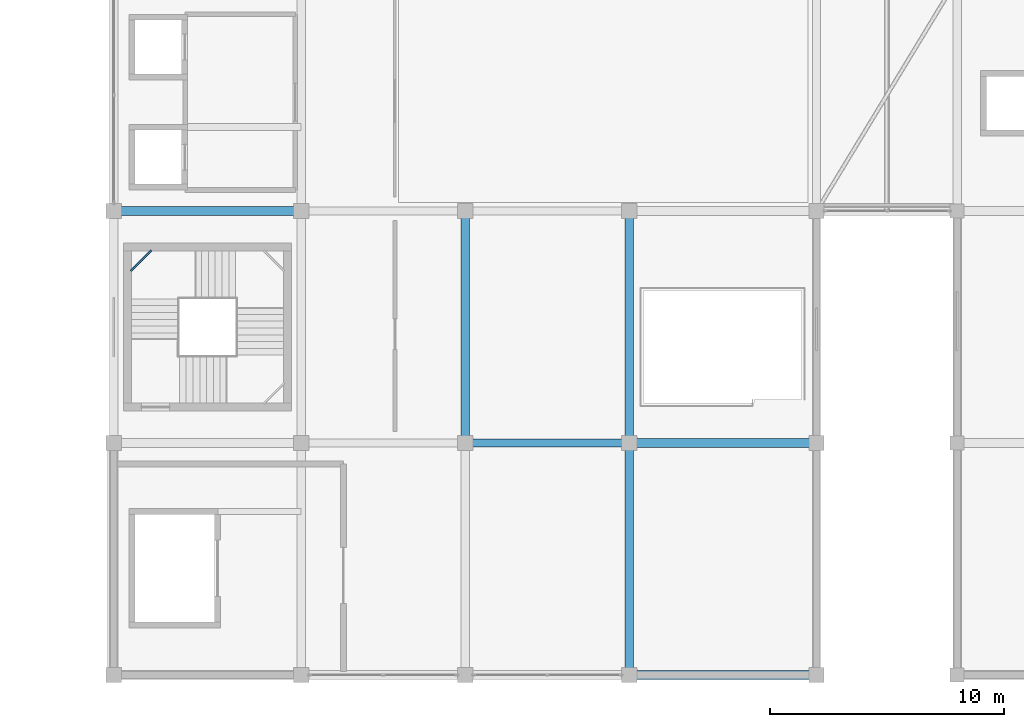
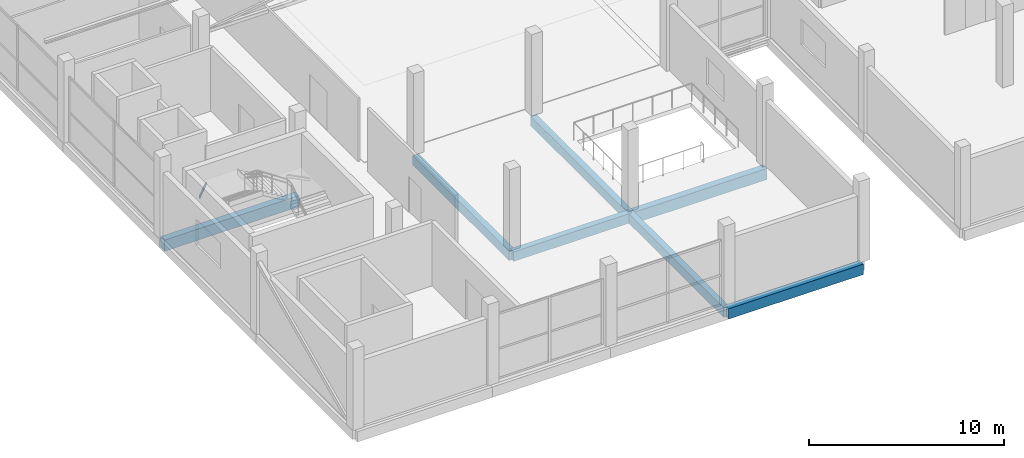
# One storey, part 5 of 58: 8 beams.
"""IFC4 building model written with IfcOpenShell, lengths in metres."""

from ifc_helpers import new_model, si_unit, direction, frame, origin, origin_2d, place, context, subcontext, project, spatial, rectangle, hollow_rectangle, extrude, material, material_profile, profile_set, type_object, element, save


model = new_model("IFC4")

# Units and contexts
model_context = context("Model", 3, precision=1e-05, world=origin(), true_north=direction((0.0, 1.0)))
body_context = subcontext(model_context, "Body", "Model", "MODEL_VIEW")
ifc_project = project(units=[si_unit("LENGTHUNIT", "METRE"), si_unit("AREAUNIT", "SQUARE_METRE"), si_unit("VOLUMEUNIT", "CUBIC_METRE"), si_unit("PLANEANGLEUNIT", "RADIAN"), si_unit("MASSUNIT", "GRAM", prefix="KILO")], contexts=[model_context])

# Site, building, storey
site_placement = place(None, origin())
site = spatial("IfcSite", under=ifc_project, at=site_placement, CompositionType="ELEMENT")
building_placement = place(site_placement, origin())
building = spatial("IfcBuilding", under=site, at=building_placement, Name="Sillaruma Civic Art Gallery", CompositionType="ELEMENT")
storey_placement = place(building_placement, frame((0.0, 0.0, 52.02001953125)))
storey = spatial("IfcBuildingStorey", under=building, at=storey_placement, Name="L10", CompositionType="ELEMENT", Elevation=52.02001953125)

# Beams
ifc_material_1 = material(Name="Concrete H35 (35 MPa)", Category="concrete")
ifc_material_profile_1 = material_profile(ifc_material_1, rectangle(XDim=0.35009765625, YDim=0.60009765625, at=origin_2d()), Name="RCB350x600")
ifc_profile_set_1 = profile_set([ifc_material_profile_1], Name="Concrete H35 (35 MPa)")
beam_type_1 = type_object("IfcBeamType", Name="BM-BEAM-RCB350x600", PredefinedType="BEAM", material=ifc_profile_set_1)
beam_1_placement = place(storey_placement, frame((77.0, 29.699951171875, -0.550048828125), z_axis=(1.0, 0.0, 0.0), x_axis=(0.0, 1.0, 0.0)))
element("IfcBeam", 1, at=beam_1_placement, inside=storey, type_object=beam_type_1, Name="Beam BM-06 (L09:4:H-J)", PredefinedType="BEAM", context=body_context, shape_type="SweptSolid", body=[
    extrude(rectangle(XDim=0.35009765625, YDim=0.60009765625, at=origin_2d()), origin(), (0.0, 0.0, 1.0), 7.0),
])
beam_2_placement = place(storey_placement, frame((77.0, 29.699951171875, -0.550048828125), z_axis=(0.0, 1.0, 0.0), x_axis=(-1.0, 0.0, 0.0)))
element("IfcBeam", 2, at=beam_2_placement, inside=storey, type_object=beam_type_1, Name="Beam BM-06 (L09:H:4-5)", PredefinedType="BEAM", context=body_context, shape_type="SweptSolid", body=[
    extrude(rectangle(XDim=0.35009765625, YDim=0.60009765625, at=origin_2d()), origin(), (0.0, 0.0, 1.0), 9.900146484375),
])
beam_3_placement = place(storey_placement, frame((84.0, 19.800048828125, -0.550048828125), z_axis=(0.0, 1.0, 0.0), x_axis=(-1.0, 0.0, 0.0)))
element("IfcBeam", 3, at=beam_3_placement, inside=storey, type_object=beam_type_1, Name="Beam BM-06 (L09:J:3-4)", PredefinedType="BEAM", context=body_context, shape_type="SweptSolid", body=[
    extrude(rectangle(XDim=0.35009765625, YDim=0.60009765625, at=origin_2d()), origin(), (0.0, 0.0, 1.0), 9.89990234375),
])
beam_4_placement = place(storey_placement, frame((84.0, 29.699951171875, -0.550048828125), z_axis=(0.0, 1.0, 0.0), x_axis=(-1.0, 0.0, 0.0)))
element("IfcBeam", 4, at=beam_4_placement, inside=storey, type_object=beam_type_1, Name="Beam BM-06 (L09:J:4-5)", PredefinedType="BEAM", context=body_context, shape_type="SweptSolid", body=[
    extrude(rectangle(XDim=0.35009765625, YDim=0.60009765625, at=origin_2d()), origin(), (0.0, 0.0, 1.0), 9.900146484375),
])
ifc_material_profile_2 = material_profile(ifc_material_1, rectangle(XDim=0.39990234375, YDim=0.699951171875, at=origin_2d()), Name="RCB400x700")
ifc_profile_set_2 = profile_set([ifc_material_profile_2], Name="Concrete H35 (35 MPa)")
beam_type_2 = type_object("IfcBeamType", Name="BM-BEAM-RCB400x700", PredefinedType="BEAM", material=ifc_profile_set_2)
for number, where, z_axis, x_axis, name in (
    (5, (84.0, 29.699951171875, -0.60009765625), (1.0, 0.0, 0.0), (0.0, 1.0, 0.0), "Beam BM-04 (L09:4:J-K)"),
    (6, (62.0, 39.60009765625, -0.60009765625), (1.0, 0.0, 0.0), (0.0, 1.0, 0.0), "Beam BM-04 (L09:5:F-G)"),
):
    element("IfcBeam", number, at=place(storey_placement, frame(where, z_axis=z_axis, x_axis=x_axis)), inside=storey, type_object=beam_type_2, Name=name, PredefinedType="BEAM", context=body_context, shape_type="SweptSolid", body=[
        extrude(rectangle(XDim=0.39990234375, YDim=0.699951171875, at=origin_2d()), origin(), (0.0, 0.0, 1.0), 8.0),
    ])
ifc_material_2 = material(Name="Structural Steel ASTM A500 Gr.C", Category="steel")
ifc_material_profile_3 = material_profile(ifc_material_2, hollow_rectangle(XDim=0.080078125, YDim=0.159912109375, WallThickness=0.008056640625, InnerFilletRadius=0.008056640625, OuterFilletRadius=0.01611328125, at=origin_2d()), Name="HSS160x80x8")
ifc_profile_set_3 = profile_set([ifc_material_profile_3], Name="Structural Steel ASTM A500 Gr.C")
beam_type_3 = type_object("IfcBeamType", Name="BM-LND-HSS160", PredefinedType="BEAM", material=ifc_profile_set_3)
beam_5_placement = place(storey_placement, frame((62.719970703125, 37.0400390625, 3.6298828125), z_axis=(0.707203758046, 0.707009791025, 0.0), x_axis=(-0.707009791025, 0.707203758046, 0.0)))
element("IfcBeam", 7, at=beam_5_placement, inside=storey, type_object=beam_type_3, Name="Stair Corner Landing Trimmer Beam (ST-03-L10-3)", PredefinedType="BEAM", context=body_context, shape_type="SweptSolid", body=[
    extrude(hollow_rectangle(XDim=0.080078125, YDim=0.159912109375, WallThickness=0.008056640625, InnerFilletRadius=0.008056640625, OuterFilletRadius=0.01611328125, at=origin_2d()), origin(), (0.0, 0.0, 1.0), 1.2587890625),
])
ifc_material_profile_4 = material_profile(ifc_material_1, rectangle(XDim=0.39990234375, YDim=0.64990234375, at=origin_2d()), Name="RCB400x650")
ifc_profile_set_4 = profile_set([ifc_material_profile_4], Name="Concrete H35 (35 MPa)")
beam_type_4 = type_object("IfcBeamType", Name="BM-SPANDREL-RCB400x650", PredefinedType="SPANDREL", material=ifc_profile_set_4)
beam_6_placement = place(storey_placement, frame((84.0, 19.800048828125, -0.574951171875), z_axis=(1.0, 0.0, 0.0), x_axis=(0.0, 1.0, 0.0)))
element("IfcBeam", 8, at=beam_6_placement, inside=storey, type_object=beam_type_4, Name="Beam BS-02 (L09:3:J-K)", PredefinedType="SPANDREL", context=body_context, shape_type="SweptSolid", body=[
    extrude(rectangle(XDim=0.39990234375, YDim=0.64990234375, at=origin_2d()), origin(), (0.0, 0.0, 1.0), 8.0),
])

save(model, "model.ifc")
